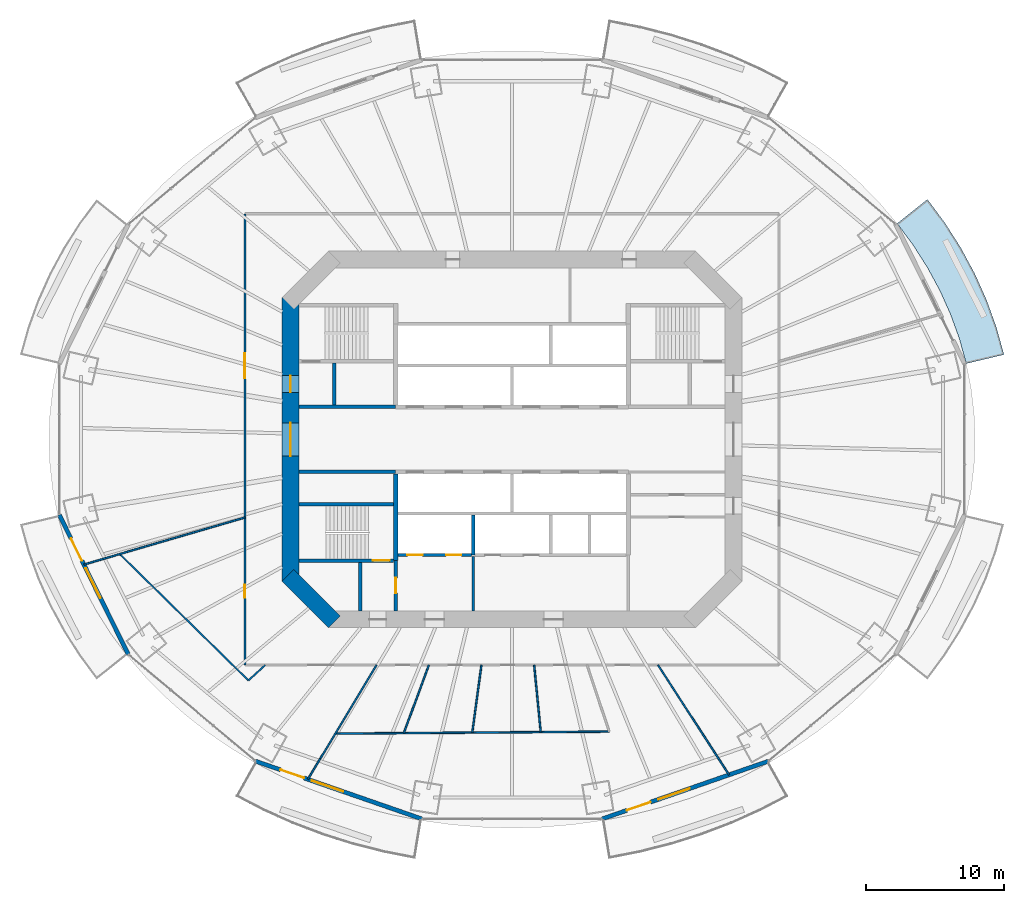
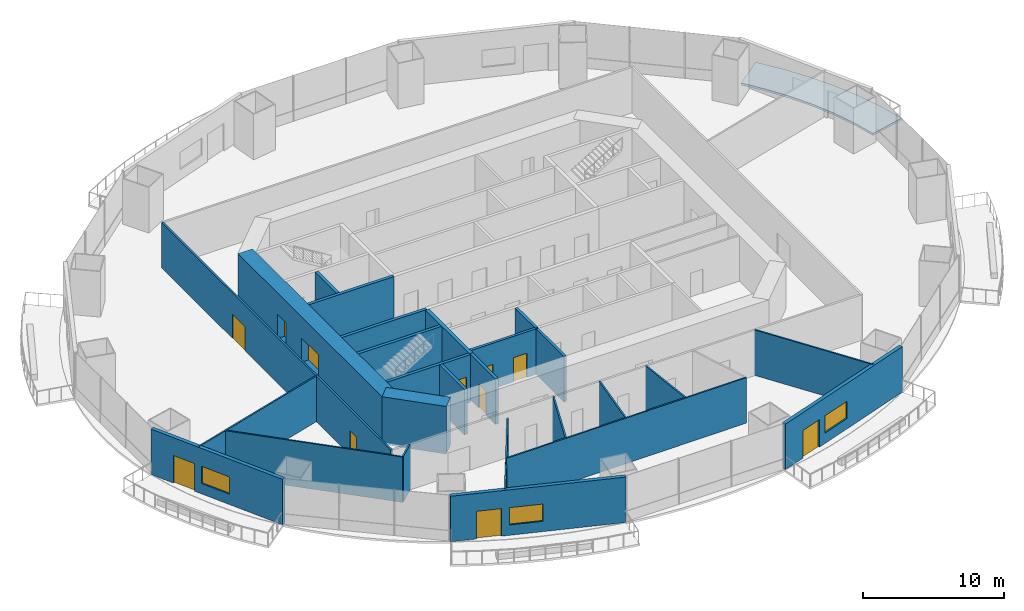
# One storey, part 12 of 18: 27 walls, 11 doors, 3 windows, 1 slab, 14 openings.
"""IFC4 building model written with IfcOpenShell, lengths in metres."""

from ifc_helpers import new_model, si_unit, direction, frame, frame_2d, origin, place, context, subcontext, project, spatial, polyline, rectangle, outline, extrude, material, layer, layer_set, type_object, element, fill, save


model = new_model("IFC4")

# Units and contexts
model_context = context("Model", 3, precision=1e-05, world=origin(), true_north=direction((0.0, 1.0)))
body_context = subcontext(model_context, "Body", "Model", "MODEL_VIEW")
ifc_project = project(units=[si_unit("LENGTHUNIT", "METRE"), si_unit("AREAUNIT", "SQUARE_METRE"), si_unit("VOLUMEUNIT", "CUBIC_METRE"), si_unit("PLANEANGLEUNIT", "RADIAN"), si_unit("MASSUNIT", "GRAM", prefix="KILO")], contexts=[model_context])

# Site, building, storey
site_placement = place(None, origin())
site = spatial("IfcSite", under=ifc_project, at=site_placement, CompositionType="ELEMENT")
building_placement = place(site_placement, origin())
building = spatial("IfcBuilding", under=site, at=building_placement, Name="Marenthal Gate Tower", CompositionType="ELEMENT")
storey_placement = place(building_placement, frame((0.0, 0.0, 140.89990234375)))
storey = spatial("IfcBuildingStorey", under=building, at=storey_placement, Name="L30", CompositionType="ELEMENT", Elevation=140.89990234375)

# Slab
ifc_material_1 = material(Name="Concrete 40 MPa", Category="concrete")
ifc_layer_1 = layer(ifc_material_1, 0.179931640625)
ifc_layer_set_1 = layer_set([ifc_layer_1], Name="Balcony deck 180")
slab_type = type_object("IfcSlabType", Name="Balcony deck 180", PredefinedType="USERDEFINED", material=ifc_layer_set_1)
slab_placement = place(storey_placement, frame((0.0, 0.0, -0.219970703125)))
element("IfcSlab", 1, at=slab_placement, inside=storey, type_object=slab_type, Name="Balcony deck L30 bay 1", ObjectType="BALCONY", PredefinedType="USERDEFINED", context=body_context, shape_type="SweptSolid", body=[
    extrude(outline(polyline([(32.819091796875, 5.4775390625), (32.32177734375, 7.266845703125), (31.686279296875, 9.025146484375), (30.914794921875, 10.74462890625), (30.01123046875, 12.418212890625), (28.97900390625, 14.03857421875), (27.822509765625, 15.5986328125), (30.012939453125, 17.343017578125), (31.28564453125, 15.625732421875), (32.425048828125, 13.8369140625), (33.425537109375, 11.984130859375), (34.28173828125, 10.0751953125), (34.989013671875, 8.11865234375), (35.54345703125, 6.12353515625), (32.819091796875, 5.4775390625)])), origin(), (0.0, 0.0, 1.0), 0.18017578125),
])

# Wall, openings, doors
ifc_material_2 = material(Name="Concrete 60 MPa", Category="concrete")
ifc_layer_2 = layer(ifc_material_2, 1.199951171875)
ifc_layer_set_2 = layer_set([ifc_layer_2], Name="Core shear wall 1200")
wall_type_1 = type_object("IfcWallType", Name="Core shear wall 1200", PredefinedType="SHEAR", material=ifc_layer_set_2)
wall_1_placement = place(storey_placement, frame((-16.0, 10.24853515625, -0.179931640625), z_axis=(0.0, 0.0, 1.0), x_axis=(0.0, -1.0, 0.0)))
wall_1 = element("IfcWall", 2, at=wall_1_placement, inside=storey, type_object=wall_type_1, Name="Core wall 06", PredefinedType="SHEAR", context=body_context, shape_type="SweptSolid", body=[
    extrude(rectangle(XDim=20.4970703125, YDim=1.199951171875, at=frame_2d((10.24853515625, 0.0))), origin(), (0.0, 0.0, 1.0), 4.130126953125),
])
opening_1_placement = place(wall_1_placement, frame((9.048583984375, 0.0, 0.179931640625)))
opening_1 = element("IfcOpeningElement", 3, at=opening_1_placement, cuts=wall_1, Name="Opening D003.01", PredefinedType="OPENING", context=body_context, shape_type="SweptSolid", body=[
    extrude(rectangle(XDim=2.39990234375, YDim=2.10009765625, at=frame_2d((1.199951171875, 1.050048828125))), frame((0.0, 0.60986328125, 0.0), z_axis=(0.0, -1.0, 0.0), x_axis=(1.0, 0.0, 0.0)), (0.0, 0.0, 1.0), 1.219970703125),
])
opening_2_placement = place(wall_1_placement, frame((5.6484375, 0.0, 0.179931640625)))
opening_2 = element("IfcOpeningElement", 4, at=opening_2_placement, cuts=wall_1, Name="Opening D001.04", PredefinedType="OPENING", context=body_context, shape_type="SweptSolid", body=[
    extrude(rectangle(XDim=1.199951171875, YDim=2.10009765625, at=frame_2d((0.60009765625, 1.050048828125))), frame((0.0, 0.60986328125, 0.0), z_axis=(0.0, -1.0, 0.0), x_axis=(1.0, 0.0, 0.0)), (0.0, 0.0, 1.0), 1.219970703125),
])
ifc_material_3 = material(Name="Steel fire door", Category="steel")
door_type_1 = type_object("IfcDoorType", Name="Double fire door FD 45 2400 x 2100", OperationType="DOUBLE_DOOR_SINGLE_SWING", PredefinedType="DOOR", material=ifc_material_3)
door_1_placement = place(opening_1_placement, origin())
door_1 = element("IfcDoor", 5, at=door_1_placement, inside=storey, type_object=door_type_1, Name="Door D003.01", OperationType="DOUBLE_DOOR_SINGLE_SWING", OverallHeight=2.10009765625, OverallWidth=2.39990234375, PredefinedType="DOOR", context=body_context, shape_type="SweptSolid", body=[
    extrude(rectangle(XDim=2.39990234375, YDim=2.10009765625, at=frame_2d((1.199951171875, 1.050048828125))), frame((0.0, 0.02490234375, 0.0), z_axis=(0.0, -1.0, 0.0), x_axis=(1.0, 0.0, 0.0)), (0.0, 0.0, 1.0), 0.050048828125),
])
fill(opening_1, door_1)
ifc_material_4 = material(Name="Steel fire door", Category="steel")
door_type_2 = type_object("IfcDoorType", Name="Fire door FD 90 1200 x 2100", OperationType="NOTDEFINED", PredefinedType="DOOR", material=ifc_material_4)
door_2_placement = place(opening_2_placement, origin())
door_2 = element("IfcDoor", 6, at=door_2_placement, inside=storey, type_object=door_type_2, Name="Door D001.04", OperationType="SINGLE_SWING_RIGHT", OverallHeight=2.10009765625, OverallWidth=1.199951171875, PredefinedType="DOOR", context=body_context, shape_type="SweptSolid", body=[
    extrude(rectangle(XDim=1.199951171875, YDim=2.10009765625, at=frame_2d((0.60009765625, 1.050048828125))), frame((0.0, 0.02490234375, 0.0), z_axis=(0.0, -1.0, 0.0), x_axis=(1.0, 0.0, 0.0)), (0.0, 0.0, 1.0), 0.050048828125),
])
fill(opening_2, door_2)

# Walls
wall_2_placement = place(storey_placement, frame((-16.17578125, -9.82421875, -0.179931640625), z_axis=(0.0, 0.0, 1.0), x_axis=(0.707106781187, -0.707106781187, 0.0)))
element("IfcWall", 7, at=wall_2_placement, inside=storey, type_object=wall_type_1, Name="Core wall 07", PredefinedType="SHEAR", context=body_context, shape_type="SweptSolid", body=[
    extrude(rectangle(XDim=4.73974609375, YDim=1.199951171875, at=frame_2d((2.369873046875, 0.0))), origin(), (0.0, 0.0, 1.0), 4.130126953125),
])
ifc_material_5 = material(Name="Gypsum board on steel studs", Category="steel")
ifc_layer_3 = layer(ifc_material_5, 0.199951171875)
ifc_layer_set_3 = layer_set([ifc_layer_3], Name="Fire lobby wall 200")
wall_type_2 = type_object("IfcWallType", Name="Fire lobby wall 200", PredefinedType="PARTITIONING", material=ifc_layer_set_3)
wall_3_placement = place(storey_placement, frame((-2.800048828125, -12.39990234375, 0.0), z_axis=(0.0, 0.0, 1.0), x_axis=(0.0, 1.0, 0.0)))
element("IfcWall", 8, at=wall_3_placement, inside=storey, type_object=wall_type_2, Name="Fire wall 34", PredefinedType="PARTITIONING", context=body_context, shape_type="SweptSolid", body=[
    extrude(rectangle(XDim=3.93994140625, YDim=0.199951171875, at=frame_2d((1.969970703125, 0.0))), origin(), (0.0, 0.0, 1.0), 3.9501953125),
])
ifc_material_6 = material(Name="Concrete 50 MPa", Category="concrete")
ifc_layer_4 = layer(ifc_material_6, 0.300048828125)
ifc_layer_set_4 = layer_set([ifc_layer_4], Name="Hoistway shear wall 300")
wall_type_3 = type_object("IfcWallType", Name="Hoistway shear wall 300", PredefinedType="SHEAR", material=ifc_layer_set_4)
wall_4_placement = place(storey_placement, frame((-8.39990234375, -8.75, -0.179931640625), z_axis=(0.0, 0.0, 1.0), x_axis=(0.0, 1.0, 0.0)))
element("IfcWall", 9, at=wall_4_placement, inside=storey, type_object=wall_type_3, Name="Hoistway wall 31", PredefinedType="SHEAR", context=body_context, shape_type="SweptSolid", body=[
    extrude(rectangle(XDim=6.25, YDim=0.300048828125, at=frame_2d((3.125, 0.0))), origin(), (0.0, 0.0, 1.0), 4.130126953125),
])

# Wall, openings, doors
ifc_material_7 = material(Name="Concrete 40 MPa", Category="concrete")
ifc_layer_5 = layer(ifc_material_7, 0.219970703125)
ifc_layer_set_5 = layer_set([ifc_layer_5], Name="Hoistway wall 220")
wall_type_4 = type_object("IfcWallType", Name="Hoistway wall 220", PredefinedType="STANDARD", material=ifc_layer_set_5)
wall_5_placement = place(storey_placement, frame((-8.25, -8.35009765625, 0.0), z_axis=(0.0, 0.0, 1.0), x_axis=(1.0, 0.0, 0.0)))
wall_5 = element("IfcWall", 10, at=wall_5_placement, inside=storey, type_object=wall_type_4, Name="Hoistway wall 10", PredefinedType="STANDARD", context=body_context, shape_type="SweptSolid", body=[
    extrude(rectangle(XDim=5.340087890625, YDim=0.219970703125, at=frame_2d((2.669921875, 0.0))), origin(), (0.0, 0.0, 1.0), 3.9501953125),
])
opening_3_placement = place(wall_5_placement, frame((0.699951171875, 0.0, 0.0)))
opening_3 = element("IfcOpeningElement", 11, at=opening_3_placement, cuts=wall_5, Name="Opening LD-LF1", PredefinedType="OPENING", context=body_context, shape_type="SweptSolid", body=[
    extrude(rectangle(XDim=1.10009765625, YDim=2.10009765625, at=frame_2d((0.550048828125, 1.050048828125))), frame((0.0, 0.1201171875, 0.0), z_axis=(0.0, -1.0, 0.0), x_axis=(1.0, 0.0, 0.0)), (0.0, 0.0, 1.0), 0.239990234375),
])
opening_4_placement = place(wall_5_placement, frame((3.5, 0.0, 0.0)))
opening_4 = element("IfcOpeningElement", 12, at=opening_4_placement, cuts=wall_5, Name="Opening LD-LF2", PredefinedType="OPENING", context=body_context, shape_type="SweptSolid", body=[
    extrude(rectangle(XDim=1.10009765625, YDim=2.10009765625, at=frame_2d((0.550048828125, 1.050048828125))), frame((0.0, 0.1201171875, 0.0), z_axis=(0.0, -1.0, 0.0), x_axis=(1.0, 0.0, 0.0)), (0.0, 0.0, 1.0), 0.239990234375),
])
ifc_material_8 = material(Name="Stainless steel sliding door", Category="steel")
door_type_3 = type_object("IfcDoorType", Name="Lift landing door FD 90 1100 x 2100", OperationType="DOUBLE_DOOR_SLIDING", PredefinedType="DOOR", material=ifc_material_8)
door_3_placement = place(opening_3_placement, origin())
door_3 = element("IfcDoor", 13, at=door_3_placement, inside=storey, type_object=door_type_3, Name="Lift landing door LF1", OperationType="DOUBLE_DOOR_SLIDING", OverallHeight=2.10009765625, OverallWidth=1.10009765625, PredefinedType="DOOR", context=body_context, shape_type="SweptSolid", body=[
    extrude(rectangle(XDim=1.10009765625, YDim=2.10009765625, at=frame_2d((0.550048828125, 1.050048828125))), frame((0.0, 0.02490234375, 0.0), z_axis=(0.0, -1.0, 0.0), x_axis=(1.0, 0.0, 0.0)), (0.0, 0.0, 1.0), 0.050048828125),
])
fill(opening_3, door_3)
door_4_placement = place(opening_4_placement, origin())
door_4 = element("IfcDoor", 14, at=door_4_placement, inside=storey, type_object=door_type_3, Name="Lift landing door LF2", OperationType="DOUBLE_DOOR_SLIDING", OverallHeight=2.10009765625, OverallWidth=1.10009765625, PredefinedType="DOOR", context=body_context, shape_type="SweptSolid", body=[
    extrude(rectangle(XDim=1.10009765625, YDim=2.10009765625, at=frame_2d((0.550048828125, 1.050048828125))), frame((0.0, 0.02490234375, 0.0), z_axis=(0.0, -1.0, 0.0), x_axis=(1.0, 0.0, 0.0)), (0.0, 0.0, 1.0), 0.050048828125),
])
fill(opening_4, door_4)

# Walls
wall_6_placement = place(storey_placement, frame((-2.800048828125, -8.35009765625, 0.0), z_axis=(0.0, 0.0, 1.0), x_axis=(0.0, 1.0, 0.0)))
element("IfcWall", 15, at=wall_6_placement, inside=storey, type_object=wall_type_4, Name="Hoistway wall 35", PredefinedType="STANDARD", context=body_context, shape_type="SweptSolid", body=[
    extrude(rectangle(XDim=2.89013671875, YDim=0.219970703125, at=frame_2d((1.445068359375, 0.0))), origin(), (0.0, 0.0, 1.0), 3.9501953125),
])
ifc_material_9 = material(Name="Gypsum board on steel studs", Category="steel")
ifc_layer_6 = layer(ifc_material_9, 0.1201171875)
ifc_layer_set_6 = layer_set([ifc_layer_6], Name="Partition 120")
wall_type_5 = type_object("IfcWallType", Name="Partition 120", PredefinedType="PARTITIONING", material=ifc_layer_set_6)
wall_7_placement = place(storey_placement, frame((-28.33935546875, -8.283203125, 0.0), z_axis=(0.0, 0.0, 1.0), x_axis=(0.713457191916, -0.700698819254, 0.0)))
element("IfcWall", 16, at=wall_7_placement, inside=storey, type_object=wall_type_5, Name="Partition wall 47", PredefinedType="PARTITIONING", context=body_context, shape_type="SweptSolid", body=[
    extrude(rectangle(XDim=13.031494140625, YDim=0.1201171875, at=frame_2d((6.515625, 0.0))), origin(), (0.0, 0.0, 1.0), 3.9501953125),
])
wall_8_placement = place(storey_placement, frame((-19.300048828125, -5.64111328125, 0.0), z_axis=(0.0, 0.0, 1.0), x_axis=(-0.959840289201, -0.280547000032, 0.0)))
element("IfcWall", 17, at=wall_8_placement, inside=storey, type_object=wall_type_5, Name="Partition wall 49", PredefinedType="PARTITIONING", context=body_context, shape_type="SweptSolid", body=[
    extrude(rectangle(XDim=12.1162109375, YDim=0.1201171875, at=frame_2d((6.05810546875, 0.0))), origin(), (0.0, 0.0, 1.0), 3.9501953125),
])
wall_9_placement = place(storey_placement, frame((-19.0419921875, -17.414306640625, 0.0), z_axis=(0.0, 0.0, 1.0), x_axis=(0.73796990182, 0.67483362691, 0.0)))
element("IfcWall", 18, at=wall_9_placement, inside=storey, type_object=wall_type_5, Name="Partition wall 51", PredefinedType="PARTITIONING", context=body_context, shape_type="SweptSolid", body=[
    extrude(rectangle(XDim=1.651123046875, YDim=0.1201171875, at=frame_2d((0.82568359375, 0.0))), origin(), (0.0, 0.0, 1.0), 3.9501953125),
])
wall_10_placement = place(storey_placement, frame((-12.761962890625, -21.254638671875, 0.0), z_axis=(0.0, 0.0, 1.0), x_axis=(0.999972864722, 0.007366805289, 0.0)))
element("IfcWall", 19, at=wall_10_placement, inside=storey, type_object=wall_type_5, Name="Partition wall 52", PredefinedType="PARTITIONING", context=body_context, shape_type="SweptSolid", body=[
    extrude(rectangle(XDim=19.784912109375, YDim=0.1201171875, at=frame_2d((9.892578125, 0.0))), origin(), (0.0, 0.0, 1.0), 3.9501953125),
])
wall_11_placement = place(storey_placement, frame((-9.787109375, -16.300048828125, 0.0), z_axis=(0.0, 0.0, 1.0), x_axis=(-0.514774044745, -0.857325890696, 0.0)))
element("IfcWall", 20, at=wall_11_placement, inside=storey, type_object=wall_type_5, Name="Partition wall 53", PredefinedType="PARTITIONING", context=body_context, shape_type="SweptSolid", body=[
    extrude(rectangle(XDim=7.869140625, YDim=0.1201171875, at=frame_2d((3.9345703125, 0.0))), origin(), (0.0, 0.0, 1.0), 3.406005859375),
])
wall_12_placement = place(storey_placement, frame((-13.837890625, -23.04638671875, 0.0), z_axis=(0.0, 0.0, 1.0), x_axis=(-0.514638314177, -0.857407374345, 0.0)))
element("IfcWall", 21, at=wall_12_placement, inside=storey, type_object=wall_type_5, Name="Partition wall 62", PredefinedType="PARTITIONING", context=body_context, shape_type="SweptSolid", body=[
    extrude(rectangle(XDim=1.762939453125, YDim=0.1201171875, at=frame_2d((0.88134765625, 0.0))), origin(), (0.0, 0.0, 1.0), 3.9501953125),
])
wall_13_placement = place(storey_placement, frame((-7.81591796875, -21.21826171875, 0.0), z_axis=(0.0, 0.0, 1.0), x_axis=(0.345670821163, 0.938355840498, 0.0)))
element("IfcWall", 22, at=wall_13_placement, inside=storey, type_object=wall_type_5, Name="Partition wall 54", PredefinedType="PARTITIONING", context=body_context, shape_type="SweptSolid", body=[
    extrude(rectangle(XDim=5.2412109375, YDim=0.1201171875, at=frame_2d((2.62060546875, 0.0))), origin(), (0.0, 0.0, 1.0), 3.9501953125),
])
wall_14_placement = place(storey_placement, frame((-2.86962890625, -21.181640625, 0.0), z_axis=(0.0, 0.0, 1.0), x_axis=(0.134257269098, 0.990946510007, 0.0)))
element("IfcWall", 23, at=wall_14_placement, inside=storey, type_object=wall_type_5, Name="Partition wall 55", PredefinedType="PARTITIONING", context=body_context, shape_type="SweptSolid", body=[
    extrude(rectangle(XDim=4.92626953125, YDim=0.1201171875, at=frame_2d((2.463134765625, 0.0))), origin(), (0.0, 0.0, 1.0), 3.9501953125),
])
wall_15_placement = place(storey_placement, frame((2.076416015625, -21.145263671875, 0.0), z_axis=(0.0, 0.0, 1.0), x_axis=(-0.097736013263, 0.99521237518, 0.0)))
element("IfcWall", 24, at=wall_15_placement, inside=storey, type_object=wall_type_5, Name="Partition wall 56", PredefinedType="PARTITIONING", context=body_context, shape_type="SweptSolid", body=[
    extrude(rectangle(XDim=4.868408203125, YDim=0.1201171875, at=frame_2d((2.43408203125, 0.0))), origin(), (0.0, 0.0, 1.0), 3.9501953125),
])
wall_16_placement = place(storey_placement, frame((10.5458984375, -16.300048828125, 0.0), z_axis=(0.0, 0.0, 1.0), x_axis=(0.543211638751, -0.839595804852, 0.0)))
element("IfcWall", 25, at=wall_16_placement, inside=storey, type_object=wall_type_5, Name="Partition wall 58", PredefinedType="PARTITIONING", context=body_context, shape_type="SweptSolid", body=[
    extrude(rectangle(XDim=9.448974609375, YDim=0.1201171875, at=frame_2d((4.724609375, 0.0))), origin(), (0.0, 0.0, 1.0), 3.9501953125),
])

# Wall, openings, doors
ifc_material_10 = material(Name="Gypsum board on steel studs", Category="steel")
ifc_layer_7 = layer(ifc_material_10, 0.14990234375)
ifc_layer_set_7 = layer_set([ifc_layer_7], Name="Partition 150")
wall_type_6 = type_object("IfcWallType", Name="Partition 150", PredefinedType="PARTITIONING", material=ifc_layer_set_7)
wall_17_placement = place(storey_placement, frame((-19.300048828125, -16.300048828125, 0.0), z_axis=(0.0, 0.0, 1.0), x_axis=(0.0, 1.0, 0.0)))
wall_17 = element("IfcWall", 26, at=wall_17_placement, inside=storey, type_object=wall_type_6, Name="Partition wall 48", PredefinedType="PARTITIONING", context=body_context, shape_type="SweptSolid", body=[
    extrude(rectangle(XDim=32.60009765625, YDim=0.14990234375, at=frame_2d((16.300048828125, 0.0))), origin(), (0.0, 0.0, 1.0), 3.9501953125),
])
opening_5_placement = place(wall_17_placement, frame((20.72998046875, 0.0, 0.0)))
opening_5 = element("IfcOpeningElement", 27, at=opening_5_placement, cuts=wall_17, Name="Opening D014.01", PredefinedType="OPENING", context=body_context, shape_type="SweptSolid", body=[
    extrude(rectangle(XDim=1.800048828125, YDim=2.10009765625, at=frame_2d((0.89990234375, 1.050048828125))), frame((0.0, 0.0849609375, 0.0), z_axis=(0.0, -1.0, 0.0), x_axis=(1.0, 0.0, 0.0)), (0.0, 0.0, 1.0), 0.169921875),
])
opening_6_placement = place(wall_17_placement, frame((4.85498046875, 0.0, 0.0)))
opening_6 = element("IfcOpeningElement", 28, at=opening_6_placement, cuts=wall_17, Name="Opening D016.01", PredefinedType="OPENING", context=body_context, shape_type="SweptSolid", body=[
    extrude(rectangle(XDim=0.949951171875, YDim=2.10009765625, at=frame_2d((0.47509765625, 1.050048828125))), frame((0.0, 0.0849609375, 0.0), z_axis=(0.0, -1.0, 0.0), x_axis=(1.0, 0.0, 0.0)), (0.0, 0.0, 1.0), 0.169921875),
])
ifc_material_11 = material(Name="Timber door", Category="wood")
door_type_4 = type_object("IfcDoorType", Name="Door 950 x 2100", OperationType="NOTDEFINED", PredefinedType="DOOR", material=ifc_material_11)
door_5_placement = place(opening_6_placement, origin())
door_5 = element("IfcDoor", 29, at=door_5_placement, inside=storey, type_object=door_type_4, Name="Door D016.01", OperationType="SINGLE_SWING_RIGHT", OverallHeight=2.10009765625, OverallWidth=0.949951171875, PredefinedType="DOOR", context=body_context, shape_type="SweptSolid", body=[
    extrude(rectangle(XDim=0.949951171875, YDim=2.10009765625, at=frame_2d((0.47509765625, 1.050048828125))), frame((0.0, 0.02490234375, 0.0), z_axis=(0.0, -1.0, 0.0), x_axis=(1.0, 0.0, 0.0)), (0.0, 0.0, 1.0), 0.050048828125),
])
fill(opening_6, door_5)
ifc_material_12 = material(Name="Timber door", Category="wood")
door_type_5 = type_object("IfcDoorType", Name="Double door 1800 x 2100", OperationType="DOUBLE_DOOR_SINGLE_SWING", PredefinedType="DOOR", material=ifc_material_12)
door_6_placement = place(opening_5_placement, origin())
door_6 = element("IfcDoor", 30, at=door_6_placement, inside=storey, type_object=door_type_5, Name="Door D014.01", OperationType="DOUBLE_DOOR_SINGLE_SWING", OverallHeight=2.10009765625, OverallWidth=1.800048828125, PredefinedType="DOOR", context=body_context, shape_type="SweptSolid", body=[
    extrude(rectangle(XDim=1.800048828125, YDim=2.10009765625, at=frame_2d((0.89990234375, 1.050048828125))), frame((0.0, 0.02490234375, 0.0), z_axis=(0.0, -1.0, 0.0), x_axis=(1.0, 0.0, 0.0)), (0.0, 0.0, 1.0), 0.050048828125),
])
fill(opening_5, door_6)

# Walls
ifc_material_13 = material(Name="Concrete 40 MPa", Category="concrete")
ifc_layer_8 = layer(ifc_material_13, 0.25)
ifc_layer_set_8 = layer_set([ifc_layer_8], Name="Stair enclosure wall 250")
wall_type_7 = type_object("IfcWallType", Name="Stair enclosure wall 250", PredefinedType="STANDARD", material=ifc_layer_set_8)
for number, where, z_axis, x_axis, name in (
    (31, (-15.39990234375, -2.35009765625, 0.0), (0.0, 0.0, 1.0), (1.0, 0.0, 0.0), "Stair wall 16"),
    (32, (-15.39990234375, 2.35009765625, 0.0), (0.0, 0.0, 1.0), (1.0, 0.0, 0.0), "Stair wall 19"),
):
    element("IfcWall", number, at=place(storey_placement, frame(where, z_axis=z_axis, x_axis=x_axis)), inside=storey, type_object=wall_type_7, Name=name, PredefinedType="STANDARD", context=body_context, shape_type="SweptSolid", body=[
        extrude(rectangle(XDim=7.0, YDim=0.25, at=frame_2d((3.5, 0.0))), origin(), (0.0, 0.0, 1.0), 3.9501953125),
    ])
wall_18_placement = place(storey_placement, frame((-12.85009765625, 2.47509765625, 0.0), z_axis=(0.0, 0.0, 1.0), x_axis=(0.0, 1.0, 0.0)))
element("IfcWall", 33, at=wall_18_placement, inside=storey, type_object=wall_type_7, Name="Stair wall 28", PredefinedType="STANDARD", context=body_context, shape_type="SweptSolid", body=[
    extrude(rectangle(XDim=3.0498046875, YDim=0.25, at=frame_2d((1.52490234375, 0.0))), origin(), (0.0, 0.0, 1.0), 3.9501953125),
])
wall_19_placement = place(storey_placement, frame((-10.949951171875, -12.39990234375, 0.0), z_axis=(0.0, 0.0, 1.0), x_axis=(0.0, 1.0, 0.0)))
element("IfcWall", 34, at=wall_19_placement, inside=storey, type_object=wall_type_7, Name="Stair wall 29", PredefinedType="STANDARD", context=body_context, shape_type="SweptSolid", body=[
    extrude(rectangle(XDim=3.52490234375, YDim=0.25, at=frame_2d((1.762451171875, 0.0))), origin(), (0.0, 0.0, 1.0), 3.9501953125),
])

# Wall, opening, door
wall_20_placement = place(storey_placement, frame((-8.39990234375, -12.39990234375, 0.0), z_axis=(0.0, 0.0, 1.0), x_axis=(0.0, 1.0, 0.0)))
wall_20 = element("IfcWall", 35, at=wall_20_placement, inside=storey, type_object=wall_type_7, Name="Stair wall 30", PredefinedType="STANDARD", context=body_context, shape_type="SweptSolid", body=[
    extrude(rectangle(XDim=3.64990234375, YDim=0.25, at=frame_2d((1.824951171875, 0.0))), origin(), (0.0, 0.0, 1.0), 3.9501953125),
])
opening_7_placement = place(wall_20_placement, frame((1.300048828125, 0.0, 0.0)))
opening_7 = element("IfcOpeningElement", 36, at=opening_7_placement, cuts=wall_20, Name="Opening D002.01", PredefinedType="OPENING", context=body_context, shape_type="SweptSolid", body=[
    extrude(rectangle(XDim=1.10009765625, YDim=2.10009765625, at=frame_2d((0.550048828125, 1.050048828125))), frame((0.0, 0.135009765625, 0.0), z_axis=(0.0, -1.0, 0.0), x_axis=(1.0, 0.0, 0.0)), (0.0, 0.0, 1.0), 0.27001953125),
])
ifc_material_14 = material(Name="Steel fire door", Category="steel")
door_type_6 = type_object("IfcDoorType", Name="Fire door FD 90 1100 x 2100", OperationType="NOTDEFINED", PredefinedType="DOOR", material=ifc_material_14)
door_7_placement = place(opening_7_placement, origin())
door_7 = element("IfcDoor", 37, at=door_7_placement, inside=storey, type_object=door_type_6, Name="Door D002.01", OperationType="SINGLE_SWING_RIGHT", OverallHeight=2.10009765625, OverallWidth=1.10009765625, PredefinedType="DOOR", context=body_context, shape_type="SweptSolid", body=[
    extrude(rectangle(XDim=1.10009765625, YDim=2.10009765625, at=frame_2d((0.550048828125, 1.050048828125))), frame((0.0, 0.02490234375, 0.0), z_axis=(0.0, -1.0, 0.0), x_axis=(1.0, 0.0, 0.0)), (0.0, 0.0, 1.0), 0.050048828125),
])
fill(opening_7, door_7)

ifc_material_15 = material(Name="Concrete 50 MPa", Category="concrete")
ifc_layer_9 = layer(ifc_material_15, 0.25)
ifc_layer_set_9 = layer_set([ifc_layer_9], Name="Stair shear wall 250")
wall_type_8 = type_object("IfcWallType", Name="Stair shear wall 250", PredefinedType="SHEAR", material=ifc_layer_set_9)
wall_21_placement = place(storey_placement, frame((-15.39990234375, -8.75, -0.179931640625), z_axis=(0.0, 0.0, 1.0), x_axis=(1.0, 0.0, 0.0)))
wall_21 = element("IfcWall", 38, at=wall_21_placement, inside=storey, type_object=wall_type_8, Name="Stair wall 09", PredefinedType="SHEAR", context=body_context, shape_type="SweptSolid", body=[
    extrude(rectangle(XDim=6.849853515625, YDim=0.25, at=frame_2d((3.4248046875, 0.0))), origin(), (0.0, 0.0, 1.0), 4.130126953125),
])
opening_8_placement = place(wall_21_placement, frame((5.35009765625, 0.0, 0.179931640625)))
opening_8 = element("IfcOpeningElement", 39, at=opening_8_placement, cuts=wall_21, Name="Opening D001.03", PredefinedType="OPENING", context=body_context, shape_type="SweptSolid", body=[
    extrude(rectangle(XDim=1.199951171875, YDim=2.10009765625, at=frame_2d((0.60009765625, 1.050048828125))), frame((0.0, 0.135009765625, 0.0), z_axis=(0.0, -1.0, 0.0), x_axis=(1.0, 0.0, 0.0)), (0.0, 0.0, 1.0), 0.27001953125),
])
door_8_placement = place(opening_8_placement, origin())
door_8 = element("IfcDoor", 40, at=door_8_placement, inside=storey, type_object=door_type_2, Name="Door D001.03", OperationType="SINGLE_SWING_RIGHT", OverallHeight=2.10009765625, OverallWidth=1.199951171875, PredefinedType="DOOR", context=body_context, shape_type="SweptSolid", body=[
    extrude(rectangle(XDim=1.199951171875, YDim=2.10009765625, at=frame_2d((0.60009765625, 1.050048828125))), frame((0.0, 0.02490234375, 0.0), z_axis=(0.0, -1.0, 0.0), x_axis=(1.0, 0.0, 0.0)), (0.0, 0.0, 1.0), 0.050048828125),
])
fill(opening_8, door_8)

# Wall
wall_22_placement = place(storey_placement, frame((-15.39990234375, -4.699951171875, -0.179931640625), z_axis=(0.0, 0.0, 1.0), x_axis=(1.0, 0.0, 0.0)))
element("IfcWall", 41, at=wall_22_placement, inside=storey, type_object=wall_type_8, Name="Stair wall 14", PredefinedType="SHEAR", context=body_context, shape_type="SweptSolid", body=[
    extrude(rectangle(XDim=6.849853515625, YDim=0.25, at=frame_2d((3.4248046875, 0.0))), origin(), (0.0, 0.0, 1.0), 4.130126953125),
])

# Wall, openings, door, window
ifc_material_16 = material(Name="Terracotta cladding on insulated concrete-block backing", Category="masonry")
ifc_layer_10 = layer(ifc_material_16, 0.300048828125)
ifc_layer_set_10 = layer_set([ifc_layer_10], Name="Terracotta facade wall 300")
wall_type_9 = type_object("IfcWallType", Name="Terracotta facade wall 300", PredefinedType="SOLIDWALL", material=ifc_layer_set_10)
wall_23_placement = place(storey_placement, frame((-32.701416015625, -5.4541015625, 0.0), z_axis=(0.0, 0.0, 1.0), x_axis=(0.442899302783, -0.896571362243, 0.0)))
wall_23 = element("IfcWall", 42, at=wall_23_placement, inside=storey, type_object=wall_type_9, Name="Terracotta facade wall L30 bay 9", PredefinedType="SOLIDWALL", context=body_context, shape_type="SweptSolid", body=[
    extrude(rectangle(XDim=11.24072265625, YDim=0.300048828125, at=frame_2d((5.620361328125, 0.0))), origin(), (0.0, 0.0, 1.0), 3.9501953125),
])
opening_9_placement = place(wall_23_placement, frame((1.89990234375, 0.0, 0.0)))
opening_9 = element("IfcOpeningElement", 43, at=opening_9_placement, cuts=wall_23, Name="Opening BD-L30-09", PredefinedType="OPENING", context=body_context, shape_type="SweptSolid", body=[
    extrude(rectangle(XDim=1.800048828125, YDim=2.39990234375, at=frame_2d((0.89990234375, 1.199951171875))), frame((0.0, 0.16015625, 0.0), z_axis=(0.0, -1.0, 0.0), x_axis=(1.0, 0.0, 0.0)), (0.0, 0.0, 1.0), 0.320068359375),
])
opening_10_placement = place(wall_23_placement, frame((4.300048828125, 0.0, 0.89990234375)))
opening_10 = element("IfcOpeningElement", 44, at=opening_10_placement, cuts=wall_23, Name="Opening WN1-L30-09", PredefinedType="OPENING", context=body_context, shape_type="SweptSolid", body=[
    extrude(rectangle(XDim=2.39990234375, YDim=1.5, at=frame_2d((1.199951171875, 0.75))), frame((0.0, 0.16015625, 0.0), z_axis=(0.0, -1.0, 0.0), x_axis=(1.0, 0.0, 0.0)), (0.0, 0.0, 1.0), 0.320068359375),
])
ifc_material_17 = material(Name="Aluminium and glass", Category="aluminium")
door_type_7 = type_object("IfcDoorType", Name="Balcony door 1800x2400", OperationType="DOUBLE_DOOR_SINGLE_SWING", PredefinedType="DOOR", material=ifc_material_17)
door_9_placement = place(opening_9_placement, origin())
door_9 = element("IfcDoor", 45, at=door_9_placement, inside=storey, type_object=door_type_7, Name="Balcony door L30 bay 9", OperationType="SINGLE_SWING_LEFT", OverallHeight=2.39990234375, OverallWidth=1.800048828125, PredefinedType="DOOR", context=body_context, shape_type="SweptSolid", body=[
    extrude(rectangle(XDim=1.800048828125, YDim=2.39990234375, at=frame_2d((0.89990234375, 1.199951171875))), frame((0.0, 0.02490234375, 0.0), z_axis=(0.0, -1.0, 0.0), x_axis=(1.0, 0.0, 0.0)), (0.0, 0.0, 1.0), 0.050048828125),
])
fill(opening_9, door_9)
ifc_material_18 = material(Name="Aluminium and glass", Category="aluminium")
window_type = type_object("IfcWindowType", Name="Window 2400x1500", PartitioningType="TRIPLE_PANEL_VERTICAL", PredefinedType="WINDOW", material=ifc_material_18)
window_1_placement = place(opening_10_placement, origin())
window_1 = element("IfcWindow", 46, at=window_1_placement, inside=storey, type_object=window_type, Name="Window L30 bay 9", OverallHeight=1.5, OverallWidth=2.39990234375, PartitioningType="SINGLE_PANEL", PredefinedType="WINDOW", context=body_context, shape_type="SweptSolid", body=[
    extrude(rectangle(XDim=2.39990234375, YDim=1.5, at=frame_2d((1.199951171875, 0.75))), frame((0.0, 0.030029296875, 0.0), z_axis=(0.0, -1.0, 0.0), x_axis=(1.0, 0.0, 0.0)), (0.0, 0.0, 1.0), 0.06005859375),
])
fill(opening_10, window_1)

wall_24_placement = place(storey_placement, frame((-18.523681640625, -23.245361328125, 0.0), z_axis=(0.0, 0.0, 1.0), x_axis=(0.944642444618, -0.328101587661, 0.0)))
wall_24 = element("IfcWall", 47, at=wall_24_placement, inside=storey, type_object=wall_type_9, Name="Terracotta facade wall L30 bay 11", PredefinedType="SOLIDWALL", context=body_context, shape_type="SweptSolid", body=[
    extrude(rectangle(XDim=12.723388671875, YDim=0.300048828125, at=frame_2d((6.36181640625, 0.0))), origin(), (0.0, 0.0, 1.0), 3.9501953125),
])
opening_11_placement = place(wall_24_placement, frame((1.89990234375, 0.0, 0.0)))
opening_11 = element("IfcOpeningElement", 48, at=opening_11_placement, cuts=wall_24, Name="Opening BD-L30-11", PredefinedType="OPENING", context=body_context, shape_type="SweptSolid", body=[
    extrude(rectangle(XDim=1.800048828125, YDim=2.39990234375, at=frame_2d((0.89990234375, 1.199951171875))), frame((0.0, 0.16015625, 0.0), z_axis=(0.0, -1.0, 0.0), x_axis=(1.0, 0.0, 0.0)), (0.0, 0.0, 1.0), 0.320068359375),
])
opening_12_placement = place(wall_24_placement, frame((4.300048828125, 0.0, 0.89990234375)))
opening_12 = element("IfcOpeningElement", 49, at=opening_12_placement, cuts=wall_24, Name="Opening WN1-L30-11", PredefinedType="OPENING", context=body_context, shape_type="SweptSolid", body=[
    extrude(rectangle(XDim=2.39990234375, YDim=1.5, at=frame_2d((1.199951171875, 0.75))), frame((0.0, 0.16015625, 0.0), z_axis=(0.0, -1.0, 0.0), x_axis=(1.0, 0.0, 0.0)), (0.0, 0.0, 1.0), 0.320068359375),
])
door_10_placement = place(opening_11_placement, origin())
door_10 = element("IfcDoor", 50, at=door_10_placement, inside=storey, type_object=door_type_7, Name="Balcony door L30 bay 11", OperationType="SINGLE_SWING_LEFT", OverallHeight=2.39990234375, OverallWidth=1.800048828125, PredefinedType="DOOR", context=body_context, shape_type="SweptSolid", body=[
    extrude(rectangle(XDim=1.800048828125, YDim=2.39990234375, at=frame_2d((0.89990234375, 1.199951171875))), frame((0.0, 0.02490234375, 0.0), z_axis=(0.0, -1.0, 0.0), x_axis=(1.0, 0.0, 0.0)), (0.0, 0.0, 1.0), 0.050048828125),
])
fill(opening_11, door_10)
window_2_placement = place(opening_12_placement, origin())
window_2 = element("IfcWindow", 51, at=window_2_placement, inside=storey, type_object=window_type, Name="Window L30 bay 11", OverallHeight=1.5, OverallWidth=2.39990234375, PartitioningType="SINGLE_PANEL", PredefinedType="WINDOW", context=body_context, shape_type="SweptSolid", body=[
    extrude(rectangle(XDim=2.39990234375, YDim=1.5, at=frame_2d((1.199951171875, 0.75))), frame((0.0, 0.030029296875, 0.0), z_axis=(0.0, -1.0, 0.0), x_axis=(1.0, 0.0, 0.0)), (0.0, 0.0, 1.0), 0.06005859375),
])
fill(opening_12, window_2)

wall_25_placement = place(storey_placement, frame((6.504638671875, -27.419921875, 0.0), z_axis=(0.0, 0.0, 1.0), x_axis=(0.944644510201, 0.32809564055, 0.0)))
wall_25 = element("IfcWall", 52, at=wall_25_placement, inside=storey, type_object=wall_type_9, Name="Terracotta facade wall L30 bay 13", PredefinedType="SOLIDWALL", context=body_context, shape_type="SweptSolid", body=[
    extrude(rectangle(XDim=12.7236328125, YDim=0.300048828125, at=frame_2d((6.36181640625, 0.0))), origin(), (0.0, 0.0, 1.0), 3.9501953125),
])
opening_13_placement = place(wall_25_placement, frame((1.89990234375, 0.0, 0.0)))
opening_13 = element("IfcOpeningElement", 53, at=opening_13_placement, cuts=wall_25, Name="Opening BD-L30-13", PredefinedType="OPENING", context=body_context, shape_type="SweptSolid", body=[
    extrude(rectangle(XDim=1.800048828125, YDim=2.39990234375, at=frame_2d((0.89990234375, 1.199951171875))), frame((0.0, 0.16015625, 0.0), z_axis=(0.0, -1.0, 0.0), x_axis=(1.0, 0.0, 0.0)), (0.0, 0.0, 1.0), 0.320068359375),
])
opening_14_placement = place(wall_25_placement, frame((4.300048828125, 0.0, 0.89990234375)))
opening_14 = element("IfcOpeningElement", 54, at=opening_14_placement, cuts=wall_25, Name="Opening WN1-L30-13", PredefinedType="OPENING", context=body_context, shape_type="SweptSolid", body=[
    extrude(rectangle(XDim=2.39990234375, YDim=1.5, at=frame_2d((1.199951171875, 0.75))), frame((0.0, 0.16015625, 0.0), z_axis=(0.0, -1.0, 0.0), x_axis=(1.0, 0.0, 0.0)), (0.0, 0.0, 1.0), 0.320068359375),
])
door_11_placement = place(opening_13_placement, origin())
door_11 = element("IfcDoor", 55, at=door_11_placement, inside=storey, type_object=door_type_7, Name="Balcony door L30 bay 13", OperationType="SINGLE_SWING_LEFT", OverallHeight=2.39990234375, OverallWidth=1.800048828125, PredefinedType="DOOR", context=body_context, shape_type="SweptSolid", body=[
    extrude(rectangle(XDim=1.800048828125, YDim=2.39990234375, at=frame_2d((0.89990234375, 1.199951171875))), frame((0.0, 0.02490234375, 0.0), z_axis=(0.0, -1.0, 0.0), x_axis=(1.0, 0.0, 0.0)), (0.0, 0.0, 1.0), 0.050048828125),
])
fill(opening_13, door_11)
window_3_placement = place(opening_14_placement, origin())
window_3 = element("IfcWindow", 56, at=window_3_placement, inside=storey, type_object=window_type, Name="Window L30 bay 13", OverallHeight=1.5, OverallWidth=2.39990234375, PartitioningType="SINGLE_PANEL", PredefinedType="WINDOW", context=body_context, shape_type="SweptSolid", body=[
    extrude(rectangle(XDim=2.39990234375, YDim=1.5, at=frame_2d((1.199951171875, 0.75))), frame((0.0, 0.030029296875, 0.0), z_axis=(0.0, -1.0, 0.0), x_axis=(1.0, 0.0, 0.0)), (0.0, 0.0, 1.0), 0.06005859375),
])
fill(opening_14, window_3)

save(model, "model.ifc")
